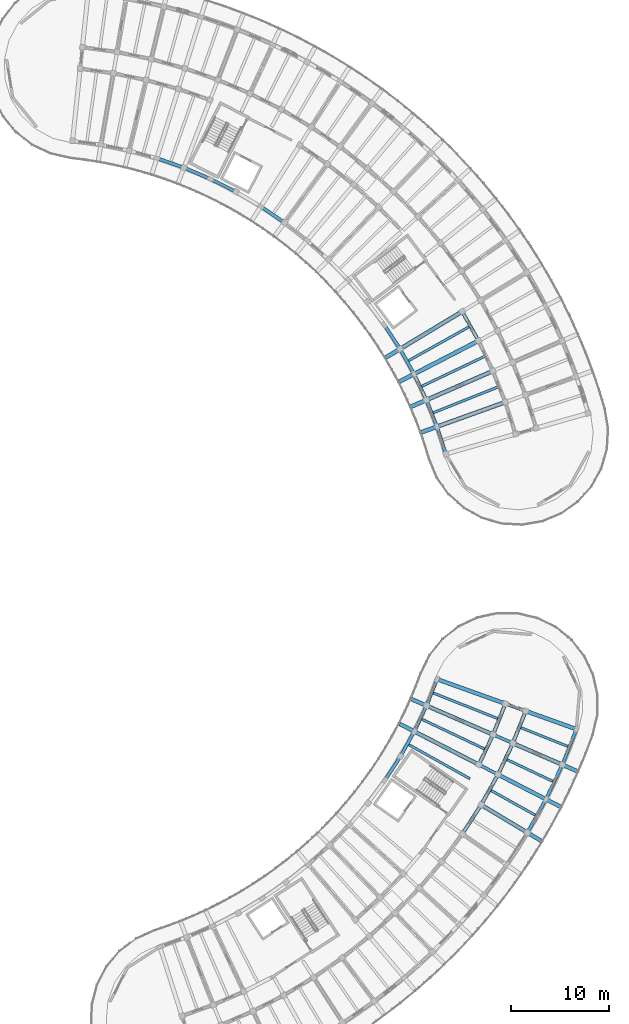
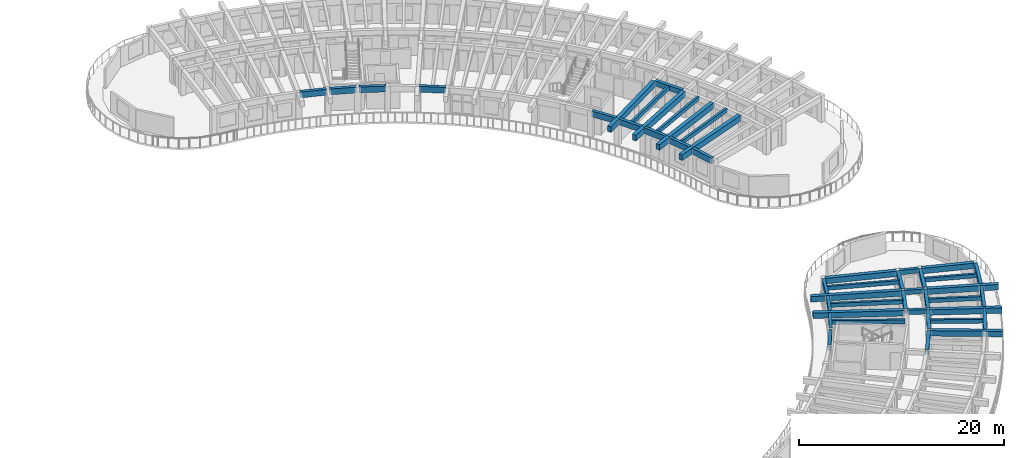
# One storey, part 22 of 78: 46 beams.
"""IFC4 building model written with IfcOpenShell, lengths in metres."""

from ifc_helpers import new_model, si_unit, direction, frame, origin, origin_2d, place, context, subcontext, project, spatial, rectangle, extrude, material, material_profile, profile_set, type_object, element, save


model = new_model("IFC4")

# Units and contexts
model_context = context("Model", 3, precision=1e-05, world=origin(), true_north=direction((0.0, 1.0)))
body_context = subcontext(model_context, "Body", "Model", "MODEL_VIEW")
ifc_project = project(units=[si_unit("LENGTHUNIT", "METRE"), si_unit("AREAUNIT", "SQUARE_METRE"), si_unit("VOLUMEUNIT", "CUBIC_METRE"), si_unit("PLANEANGLEUNIT", "RADIAN"), si_unit("MASSUNIT", "GRAM", prefix="KILO")], contexts=[model_context])

# Site, building, storey
site_placement = place(None, origin())
site = spatial("IfcSite", under=ifc_project, at=site_placement, CompositionType="ELEMENT")
building_placement = place(site_placement, origin())
building = spatial("IfcBuilding", under=site, at=building_placement, Name="Tanwirah Colonnade Gardens", CompositionType="ELEMENT")
storey_placement = place(building_placement, frame((0.0, 0.0, 22.280029296875)))
storey = spatial("IfcBuildingStorey", under=building, at=storey_placement, Name="L06", CompositionType="ELEMENT", Elevation=22.280029296875)

# Beams
ifc_material_1 = material(Name="Precast concrete C40/50", Category="concrete")
ifc_material_profile_1 = material_profile(ifc_material_1, rectangle(XDim=0.360107421875, YDim=0.610107421875, at=origin_2d()), Name="PC-BM 360x610")
ifc_profile_set_1 = profile_set([ifc_material_profile_1], Name="Precast concrete C40/50")
beam_type_1 = type_object("IfcBeamType", Name="BM-PC300", PredefinedType="BEAM", material=ifc_profile_set_1)
for number, where, z_axis, x_axis, name in (
    (1, (165.491455078125, 33.817626953125, 2.804931640625), (0.542825891173, 0.839845254718, 0.0), (-0.839845254718, 0.542825891173, 0.0), "Block D L06 Circumferential Beam 11-R2"),
    (2, (167.40283203125, 36.793212890625, 2.804931640625), (0.486712025227, 0.873562478875, 0.0), (-0.873562478875, 0.486712025227, 0.0), "Block D L06 Circumferential Beam 12-R2"),
):
    element("IfcBeam", number, at=place(storey_placement, frame(where, z_axis=z_axis, x_axis=x_axis)), inside=storey, type_object=beam_type_1, Name=name, PredefinedType="BEAM", context=body_context, shape_type="SweptSolid", body=[
        extrude(rectangle(XDim=0.360107421875, YDim=0.610107421875, at=origin_2d()), origin(), (0.0, 0.0, 1.0), 3.23681640625),
    ])
beam_1_placement = place(storey_placement, frame((167.159912109375, 40.894775390625, 2.804931640625), z_axis=(0.428520598641, 0.903532011907, 0.0), x_axis=(-0.903532011907, 0.428520598641, 0.0)))
element("IfcBeam", 3, at=beam_1_placement, inside=storey, type_object=beam_type_1, Name="Block D L06 Circumferential Beam 13-R1", PredefinedType="BEAM", context=body_context, shape_type="SweptSolid", body=[
    extrude(rectangle(XDim=0.360107421875, YDim=0.610107421875, at=origin_2d()), origin(), (0.0, 0.0, 1.0), 3.093017578125),
])
beam_2_placement = place(storey_placement, frame((169.11572265625, 39.887451171875, 2.804931640625), z_axis=(0.428562893949, 0.903511951183, 0.0), x_axis=(-0.903511951183, 0.428562893949, 0.0)))
element("IfcBeam", 4, at=beam_2_placement, inside=storey, type_object=beam_type_1, Name="Block D L06 Circumferential Beam 13-R2", PredefinedType="BEAM", context=body_context, shape_type="SweptSolid", body=[
    extrude(rectangle(XDim=0.360107421875, YDim=0.610107421875, at=origin_2d()), origin(), (0.0, 0.0, 1.0), 3.23681640625),
])
beam_3_placement = place(storey_placement, frame((168.604736328125, 43.96435546875, 2.804931640625), z_axis=(0.368544574427, 0.929610077753, 0.0), x_axis=(-0.929610077753, 0.368544574427, 0.0)))
element("IfcBeam", 5, at=beam_3_placement, inside=storey, type_object=beam_type_1, Name="Block D L06 Circumferential Beam 14-R1", PredefinedType="BEAM", context=body_context, shape_type="SweptSolid", body=[
    extrude(rectangle(XDim=0.360107421875, YDim=0.610107421875, at=origin_2d()), origin(), (0.0, 0.0, 1.0), 3.093017578125),
])
beam_4_placement = place(storey_placement, frame((170.622314453125, 43.087158203125, 2.804931640625), z_axis=(0.368527954052, 0.929616666741, 0.0), x_axis=(-0.929616666741, 0.368527954052, 0.0)))
element("IfcBeam", 6, at=beam_4_placement, inside=storey, type_object=beam_type_1, Name="Block D L06 Circumferential Beam 14-R2", PredefinedType="BEAM", context=body_context, shape_type="SweptSolid", body=[
    extrude(rectangle(XDim=0.360107421875, YDim=0.610107421875, at=origin_2d()), origin(), (0.0, 0.0, 1.0), 3.23681640625),
])
ifc_material_profile_2 = material_profile(ifc_material_1, rectangle(XDim=0.320068359375, YDim=0.52001953125, at=origin_2d()), Name="PC-BM 320x520")
ifc_profile_set_2 = profile_set([ifc_material_profile_2], Name="Precast concrete C40/50")
beam_type_2 = type_object("IfcBeamType", Name="BM-PC320", PredefinedType="BEAM", material=ifc_profile_set_2)
beam_5_placement = place(storey_placement, frame((167.22900390625, 40.690673828125, 2.849853515625), z_axis=(0.888965044602, -0.457975053334, 0.0), x_axis=(0.457975053334, 0.888965044602, 0.0)))
element("IfcBeam", 7, at=beam_5_placement, inside=storey, type_object=beam_type_2, Name="Block D L06 Corridor Tie Beam 13", PredefinedType="BEAM", context=body_context, shape_type="SweptSolid", body=[
    extrude(rectangle(XDim=0.320068359375, YDim=0.52001953125, at=origin_2d()), origin(), (0.0, 0.0, 1.0), 1.89990234375),
])
beam_6_placement = place(storey_placement, frame((168.68701171875, 43.76513671875, 2.849853515625), z_axis=(0.917025109963, -0.398829471952, 0.0), x_axis=(0.398829471952, 0.917025109963, 0.0)))
element("IfcBeam", 8, at=beam_6_placement, inside=storey, type_object=beam_type_2, Name="Block D L06 Corridor Tie Beam 14", PredefinedType="BEAM", context=body_context, shape_type="SweptSolid", body=[
    extrude(rectangle(XDim=0.320068359375, YDim=0.52001953125, at=origin_2d()), origin(), (0.0, 0.0, 1.0), 1.900146484375),
])
beam_7_placement = place(storey_placement, frame((169.941162109375, 46.92822265625, 2.849853515625), z_axis=(0.941214575511, -0.337809299525, 0.0), x_axis=(0.337809299525, 0.941214575511, 0.0)))
element("IfcBeam", 9, at=beam_7_placement, inside=storey, type_object=beam_type_2, Name="Block D L06 Corridor Tie Beam 15", PredefinedType="BEAM", context=body_context, shape_type="SweptSolid", body=[
    extrude(rectangle(XDim=0.320068359375, YDim=0.52001953125, at=origin_2d()), origin(), (0.0, 0.0, 1.0), 1.89990234375),
])
ifc_material_profile_3 = material_profile(ifc_material_1, rectangle(XDim=0.35009765625, YDim=0.60009765625, at=origin_2d()), Name="PC-BM 350x600")
ifc_profile_set_3 = profile_set([ifc_material_profile_3], Name="Precast concrete C40/50")
beam_type_3 = type_object("IfcBeamType", Name="BM-PC350B", PredefinedType="BEAM", material=ifc_profile_set_3)
beam_8_placement = place(storey_placement, frame((166.98779296875, 84.138671875, 2.81005859375), z_axis=(-0.488200372352, 0.872731571811, 0.0), x_axis=(-0.872731571811, -0.488200372352, 0.0)))
element("IfcBeam", 10, at=beam_8_placement, inside=storey, type_object=beam_type_3, Name="Block B L06 Circumferential Beam 3-R1", PredefinedType="BEAM", context=body_context, shape_type="SweptSolid", body=[
    extrude(rectangle(XDim=0.35009765625, YDim=0.60009765625, at=origin_2d()), origin(), (0.0, 0.0, 1.0), 3.117919921875),
])
ifc_material_2 = material(Name="Precast concrete C45/55", Category="concrete")
ifc_material_profile_4 = material_profile(ifc_material_2, rectangle(XDim=0.39990234375, YDim=0.64990234375, at=origin_2d()), Name="PC-BM 400x650")
ifc_profile_set_4 = profile_set([ifc_material_profile_4], Name="Precast concrete C45/55")
beam_type_4 = type_object("IfcBeamType", Name="BM-PC400", PredefinedType="BEAM", material=ifc_profile_set_4)
beam_9_placement = place(storey_placement, frame((167.45849609375, 36.5849609375, 2.784912109375), z_axis=(0.857159687729, -0.515050744812, 0.0), x_axis=(0.515050744812, 0.857159687729, 0.0)))
element("IfcBeam", 11, at=beam_9_placement, inside=storey, type_object=beam_type_4, Name="Block D L06 Outer Radial Precast Girder 12", PredefinedType="BEAM", context=body_context, shape_type="SweptSolid", body=[
    extrude(rectangle(XDim=0.39990234375, YDim=0.64990234375, at=origin_2d()), origin(), (0.0, 0.0, 1.0), 7.050048828125),
])
beam_10_placement = place(storey_placement, frame((166.962158203125, 40.827880859375, 2.784912109375), z_axis=(-0.889022337846, 0.457863825619, 0.0), x_axis=(-0.457863825619, -0.889022337846, 0.0)))
element("IfcBeam", 12, at=beam_10_placement, inside=storey, type_object=beam_type_4, Name="Block D L06 Inner Radial Precast Girder 13", PredefinedType="BEAM", context=body_context, shape_type="SweptSolid", body=[
    extrude(rectangle(XDim=0.39990234375, YDim=0.64990234375, at=origin_2d()), origin(), (0.0, 0.0, 1.0), 8.949951171875),
])
beam_11_placement = place(storey_placement, frame((169.184814453125, 39.683349609375, 2.784912109375), z_axis=(0.889016420099, -0.457875315774, 0.0), x_axis=(0.457875315774, 0.889016420099, 0.0)))
element("IfcBeam", 13, at=beam_11_placement, inside=storey, type_object=beam_type_4, Name="Block D L06 Outer Radial Precast Girder 13", PredefinedType="BEAM", context=body_context, shape_type="SweptSolid", body=[
    extrude(rectangle(XDim=0.39990234375, YDim=0.64990234375, at=origin_2d()), origin(), (0.0, 0.0, 1.0), 7.050048828125),
])
beam_12_placement = place(storey_placement, frame((168.412109375, 43.884765625, 2.784912109375), z_axis=(-0.917069622575, 0.398727108872, 0.0), x_axis=(-0.398727108872, -0.917069622575, 0.0)))
element("IfcBeam", 14, at=beam_12_placement, inside=storey, type_object=beam_type_4, Name="Block D L06 Inner Radial Precast Girder 14", PredefinedType="BEAM", context=body_context, shape_type="SweptSolid", body=[
    extrude(rectangle(XDim=0.39990234375, YDim=0.64990234375, at=origin_2d()), origin(), (0.0, 0.0, 1.0), 8.949951171875),
])
beam_13_placement = place(storey_placement, frame((170.70458984375, 42.8876953125, 2.784912109375), z_axis=(0.91706895514, -0.398728643965, 0.0), x_axis=(0.398728643965, 0.91706895514, 0.0)))
element("IfcBeam", 15, at=beam_13_placement, inside=storey, type_object=beam_type_4, Name="Block D L06 Outer Radial Precast Girder 14", PredefinedType="BEAM", context=body_context, shape_type="SweptSolid", body=[
    extrude(rectangle(XDim=0.39990234375, YDim=0.64990234375, at=origin_2d()), origin(), (0.0, 0.0, 1.0), 7.050048828125),
])
beam_14_placement = place(storey_placement, frame((169.65869140625, 47.02978515625, 2.784912109375), z_axis=(-0.941174201015, 0.33792177104, 0.0), x_axis=(-0.33792177104, -0.941174201015, 0.0)))
element("IfcBeam", 16, at=beam_14_placement, inside=storey, type_object=beam_type_4, Name="Block D L06 Inner Radial Precast Girder 15", PredefinedType="BEAM", context=body_context, shape_type="SweptSolid", body=[
    extrude(rectangle(XDim=0.39990234375, YDim=0.64990234375, at=origin_2d()), origin(), (0.0, 0.0, 1.0), 7.099853515625),
])
beam_15_placement = place(storey_placement, frame((172.01171875, 46.184814453125, 2.784912109375), z_axis=(0.941179739589, -0.337906344698, 0.0), x_axis=(0.337906344698, 0.941179739589, 0.0)))
element("IfcBeam", 17, at=beam_15_placement, inside=storey, type_object=beam_type_4, Name="Block D L06 Outer Radial Precast Girder 15", PredefinedType="BEAM", context=body_context, shape_type="SweptSolid", body=[
    extrude(rectangle(XDim=0.39990234375, YDim=0.64990234375, at=origin_2d()), origin(), (0.0, 0.0, 1.0), 5.199951171875),
])
ifc_material_profile_5 = material_profile(ifc_material_2, rectangle(XDim=0.419921875, YDim=0.679931640625, at=origin_2d()), Name="PC-BM 420x680")
ifc_profile_set_5 = profile_set([ifc_material_profile_5], Name="Precast concrete C45/55")
beam_type_5 = type_object("IfcBeamType", Name="BM-PC420", PredefinedType="BEAM", material=ifc_profile_set_5)
beam_16_placement = place(storey_placement, frame((169.650390625, 77.69384765625, 2.77001953125), z_axis=(-0.941017049702, -0.338359146723, 0.0), x_axis=(0.338359146723, -0.941017049702, 0.0)))
element("IfcBeam", 18, at=beam_16_placement, inside=storey, type_object=beam_type_5, Name="Block B L06 Inner Radial Precast Girder 1", PredefinedType="BEAM", context=body_context, shape_type="SweptSolid", body=[
    extrude(rectangle(XDim=0.419921875, YDim=0.679931640625, at=origin_2d()), origin(), (0.0, 0.0, 1.0), 8.949951171875),
])
beam_17_placement = place(storey_placement, frame((168.39208984375, 80.861328125, 2.77001953125), z_axis=(-0.916669317869, -0.399646545934, 0.0), x_axis=(0.399646545934, -0.916669317869, 0.0)))
element("IfcBeam", 19, at=beam_17_placement, inside=storey, type_object=beam_type_5, Name="Block B L06 Inner Radial Precast Girder 2", PredefinedType="BEAM", context=body_context, shape_type="SweptSolid", body=[
    extrude(rectangle(XDim=0.419921875, YDim=0.679931640625, at=origin_2d()), origin(), (0.0, 0.0, 1.0), 8.9501953125),
])
beam_18_placement = place(storey_placement, frame((166.927734375, 83.93896484375, 2.77001953125), z_axis=(-0.888345427876, -0.459175784175, 0.0), x_axis=(0.459175784175, -0.888345427876, 0.0)))
element("IfcBeam", 20, at=beam_18_placement, inside=storey, type_object=beam_type_5, Name="Block B L06 Inner Radial Precast Girder 3", PredefinedType="BEAM", context=body_context, shape_type="SweptSolid", body=[
    extrude(rectangle(XDim=0.419921875, YDim=0.679931640625, at=origin_2d()), origin(), (0.0, 0.0, 1.0), 8.949951171875),
])
beam_19_placement = place(storey_placement, frame((165.263916015625, 86.913330078125, 2.77001953125), z_axis=(-0.856168728297, -0.516696340887, 0.0), x_axis=(0.516696340887, -0.856168728297, 0.0)))
element("IfcBeam", 21, at=beam_19_placement, inside=storey, type_object=beam_type_5, Name="Block B L06 Inner Radial Precast Girder 4", PredefinedType="BEAM", context=body_context, shape_type="SweptSolid", body=[
    extrude(rectangle(XDim=0.419921875, YDim=0.679931640625, at=origin_2d()), origin(), (0.0, 0.0, 1.0), 8.9501953125),
])
ifc_material_profile_6 = material_profile(ifc_material_1, rectangle(XDim=0.2548828125, YDim=0.455078125, at=origin_2d()), Name="PC-JST 255x455")
ifc_profile_set_6 = profile_set([ifc_material_profile_6], Name="Precast concrete C40/50")
beam_type_6 = type_object("IfcBeamType", Name="JST-PC240", PredefinedType="JOIST", material=ifc_profile_set_6)
beam_20_placement = place(storey_placement, frame((168.32080078125, 38.134521484375, 2.882568359375), z_axis=(0.87356769437, -0.486702664214, 0.0), x_axis=(0.486702664214, 0.87356769437, 0.0)))
element("IfcBeam", 22, at=beam_20_placement, inside=storey, type_object=beam_type_6, Name="Block D L06 Precast Floor Joist 12", PredefinedType="JOIST", context=body_context, shape_type="SweptSolid", body=[
    extrude(rectangle(XDim=0.2548828125, YDim=0.455078125, at=origin_2d()), origin(), (0.0, 0.0, 1.0), 5.260009765625),
])
beam_21_placement = place(storey_placement, frame((159.9345703125, 42.80712890625, 2.882568359375), z_axis=(0.873559899034, -0.486716655561, 0.0), x_axis=(0.486716655561, 0.873559899034, 0.0)))
element("IfcBeam", 23, at=beam_21_placement, inside=storey, type_object=beam_type_6, Name="Block D L06 Inner Precast Floor Joist 12", PredefinedType="JOIST", context=body_context, shape_type="SweptSolid", body=[
    extrude(rectangle(XDim=0.2548828125, YDim=0.455078125, at=origin_2d()), origin(), (0.0, 0.0, 1.0), 7.159912109375),
])
beam_22_placement = place(storey_placement, frame((169.94384765625, 41.285888671875, 2.882568359375), z_axis=(0.903517509842, -0.428551174785, 0.0), x_axis=(0.428551174785, 0.903517509842, 0.0)))
element("IfcBeam", 24, at=beam_22_placement, inside=storey, type_object=beam_type_6, Name="Block D L06 Precast Floor Joist 13", PredefinedType="JOIST", context=body_context, shape_type="SweptSolid", body=[
    extrude(rectangle(XDim=0.2548828125, YDim=0.455078125, at=origin_2d()), origin(), (0.0, 0.0, 1.0), 5.260009765625),
])
beam_23_placement = place(storey_placement, frame((161.27001953125, 45.39990234375, 2.882568359375), z_axis=(0.903522492189, -0.428540670308, 0.0), x_axis=(0.428540670308, 0.903522492189, 0.0)))
element("IfcBeam", 25, at=beam_23_placement, inside=storey, type_object=beam_type_6, Name="Block D L06 Inner Precast Floor Joist 13", PredefinedType="JOIST", context=body_context, shape_type="SweptSolid", body=[
    extrude(rectangle(XDim=0.2548828125, YDim=0.455078125, at=origin_2d()), origin(), (0.0, 0.0, 1.0), 7.159912109375),
])
beam_24_placement = place(storey_placement, frame((171.357177734375, 44.53662109375, 2.882568359375), z_axis=(0.929618207145, -0.368524068338, 0.0), x_axis=(0.368524068338, 0.929618207145, 0.0)))
element("IfcBeam", 26, at=beam_24_placement, inside=storey, type_object=beam_type_6, Name="Block D L06 Precast Floor Joist 14", PredefinedType="JOIST", context=body_context, shape_type="SweptSolid", body=[
    extrude(rectangle(XDim=0.2548828125, YDim=0.455078125, at=origin_2d()), origin(), (0.0, 0.0, 1.0), 5.260009765625),
])
beam_25_placement = place(storey_placement, frame((162.432861328125, 48.07470703125, 2.882568359375), z_axis=(0.929619798141, -0.368520054956, 0.0), x_axis=(0.368520054956, 0.929619798141, 0.0)))
element("IfcBeam", 27, at=beam_25_placement, inside=storey, type_object=beam_type_6, Name="Block D L06 Inner Precast Floor Joist 14", PredefinedType="JOIST", context=body_context, shape_type="SweptSolid", body=[
    extrude(rectangle(XDim=0.2548828125, YDim=0.455078125, at=origin_2d()), origin(), (0.0, 0.0, 1.0), 7.16015625),
])
ifc_material_profile_7 = material_profile(ifc_material_1, rectangle(XDim=0.260009765625, YDim=0.4599609375, at=origin_2d()), Name="PC-JST 260x460")
ifc_profile_set_7 = profile_set([ifc_material_profile_7], Name="Precast concrete C40/50")
beam_type_7 = type_object("IfcBeamType", Name="JST-PC260", PredefinedType="JOIST", material=ifc_profile_set_7)
for number, where, z_axis, x_axis, name in (
    (28, (162.4208984375, 76.655517578125, 2.8798828125), (0.929348880779, 0.369202732649, 0.0), (-0.369202732649, 0.929348880779, 0.0), "Block B L06 Inner Precast Floor Joist 1"),
    (29, (161.246826171875, 79.348876953125, 2.8798828125), (0.903005429363, 0.429629136048, 0.0), (-0.429629136048, 0.903005429363, 0.0), "Block B L06 Inner Precast Floor Joist 2"),
    (30, (159.897705078125, 81.958984375, 2.8798828125), (0.872726875563, 0.488208767506, 0.0), (-0.488208767506, 0.872726875563, 0.0), "Block B L06 Inner Precast Floor Joist 3"),
):
    element("IfcBeam", number, at=place(storey_placement, frame(where, z_axis=z_axis, x_axis=x_axis)), inside=storey, type_object=beam_type_7, Name=name, PredefinedType="JOIST", context=body_context, shape_type="SweptSolid", body=[
        extrude(rectangle(XDim=0.260009765625, YDim=0.4599609375, at=origin_2d()), origin(), (0.0, 0.0, 1.0), 7.16015625),
    ])
ifc_material_profile_8 = material_profile(ifc_material_1, rectangle(XDim=0.324951171875, YDim=0.68505859375, at=origin_2d()), Name="PC-SP 325x685")
ifc_profile_set_8 = profile_set([ifc_material_profile_8], Name="Precast concrete C40/50")
beam_type_8 = type_object("IfcBeamType", Name="SP-PC260", PredefinedType="SPANDREL", material=ifc_profile_set_8)
beam_26_placement = place(storey_placement, frame((157.603515625, 39.28955078125, 2.767578125), z_axis=(0.542874837406, 0.83981361677, 0.0), x_axis=(-0.83981361677, 0.542874837406, 0.0)))
element("IfcBeam", 31, at=beam_26_placement, inside=storey, type_object=beam_type_8, Name="Block D L06 Circumferential Beam 11-R0", PredefinedType="SPANDREL", context=body_context, shape_type="SweptSolid", body=[
    extrude(rectangle(XDim=0.324951171875, YDim=0.68505859375, at=origin_2d()), origin(), (0.0, 0.0, 1.0), 2.60888671875),
])
beam_27_placement = place(storey_placement, frame((159.174072265625, 41.737548828125, 2.767578125), z_axis=(0.486747049114, 0.873542964129, 0.0), x_axis=(-0.873542964129, 0.486747049114, 0.0)))
element("IfcBeam", 32, at=beam_27_placement, inside=storey, type_object=beam_type_8, Name="Block D L06 Circumferential Beam 12-R0", PredefinedType="SPANDREL", context=body_context, shape_type="SweptSolid", body=[
    extrude(rectangle(XDim=0.324951171875, YDim=0.68505859375, at=origin_2d()), origin(), (0.0, 0.0, 1.0), 2.608642578125),
])
beam_28_placement = place(storey_placement, frame((172.117431640625, 33.96044921875, 2.767578125), z_axis=(0.486679958674, 0.87358034423, 0.0), x_axis=(-0.87358034423, 0.486679958674, 0.0)))
element("IfcBeam", 33, at=beam_28_placement, inside=storey, type_object=beam_type_8, Name="Block D L06 Circumferential Beam 12-R3", PredefinedType="SPANDREL", context=body_context, shape_type="SweptSolid", body=[
    extrude(rectangle(XDim=0.324951171875, YDim=0.68505859375, at=origin_2d()), origin(), (0.0, 0.0, 1.0), 3.5966796875),
])
beam_29_placement = place(storey_placement, frame((160.5810546875, 44.282958984375, 2.767578125), z_axis=(0.428512709915, 0.903535753272, 0.0), x_axis=(-0.903535753272, 0.428512709915, 0.0)))
element("IfcBeam", 34, at=beam_29_placement, inside=storey, type_object=beam_type_8, Name="Block D L06 Circumferential Beam 13-R0", PredefinedType="SPANDREL", context=body_context, shape_type="SweptSolid", body=[
    extrude(rectangle(XDim=0.324951171875, YDim=0.68505859375, at=origin_2d()), origin(), (0.0, 0.0, 1.0), 2.60888671875),
])
beam_30_placement = place(storey_placement, frame((174.00537109375, 37.369140625, 2.767578125), z_axis=(0.428518139447, 0.903533178231, 0.0), x_axis=(-0.903533178231, 0.428518139447, 0.0)))
element("IfcBeam", 35, at=beam_30_placement, inside=storey, type_object=beam_type_8, Name="Block D L06 Circumferential Beam 13-R3", PredefinedType="SPANDREL", context=body_context, shape_type="SweptSolid", body=[
    extrude(rectangle(XDim=0.324951171875, YDim=0.68505859375, at=origin_2d()), origin(), (0.0, 0.0, 1.0), 3.5966796875),
])
beam_31_placement = place(storey_placement, frame((161.818603515625, 46.9150390625, 2.767578125), z_axis=(0.368549031306, 0.929608310808, 0.0), x_axis=(-0.929608310808, 0.368549031306, 0.0)))
element("IfcBeam", 36, at=beam_31_placement, inside=storey, type_object=beam_type_8, Name="Block D L06 Circumferential Beam 14-R0", PredefinedType="SPANDREL", context=body_context, shape_type="SweptSolid", body=[
    extrude(rectangle(XDim=0.324951171875, YDim=0.68505859375, at=origin_2d()), origin(), (0.0, 0.0, 1.0), 2.608642578125),
])
beam_32_placement = place(storey_placement, frame((175.666259765625, 40.89404296875, 2.767578125), z_axis=(0.368521552478, 0.929619204491, 0.0), x_axis=(-0.929619204491, 0.368521552478, 0.0)))
element("IfcBeam", 37, at=beam_32_placement, inside=storey, type_object=beam_type_8, Name="Block D L06 Circumferential Beam 14-R3", PredefinedType="SPANDREL", context=body_context, shape_type="SweptSolid", body=[
    extrude(rectangle(XDim=0.324951171875, YDim=0.68505859375, at=origin_2d()), origin(), (0.0, 0.0, 1.0), 3.5966796875),
])
ifc_material_profile_9 = material_profile(ifc_material_1, rectangle(XDim=0.3349609375, YDim=0.695068359375, at=origin_2d()), Name="PC-SP 335x695")
ifc_profile_set_9 = profile_set([ifc_material_profile_9], Name="Precast concrete C40/50")
beam_type_9 = type_object("IfcBeamType", Name="SP-PC300", PredefinedType="SPANDREL", material=ifc_profile_set_9)
beam_33_placement = place(storey_placement, frame((163.681884765625, 72.5947265625, 2.762451171875), z_axis=(-0.307135661902, 0.951665742363, 0.0), x_axis=(-0.951665742363, -0.307135661902, 0.0)))
element("IfcBeam", 38, at=beam_33_placement, inside=storey, type_object=beam_type_9, Name="Block B L06 Circumferential Beam 0-R0", PredefinedType="SPANDREL", context=body_context, shape_type="SweptSolid", body=[
    extrude(rectangle(XDim=0.3349609375, YDim=0.695068359375, at=origin_2d()), origin(), (0.0, 0.0, 1.0), 2.63037109375),
])
beam_34_placement = place(storey_placement, frame((162.772705078125, 75.380126953125, 2.762451171875), z_axis=(-0.369245181709, 0.929332015904, 0.0), x_axis=(-0.929332015904, -0.369245181709, 0.0)))
element("IfcBeam", 39, at=beam_34_placement, inside=storey, type_object=beam_type_9, Name="Block B L06 Circumferential Beam 1-R0", PredefinedType="SPANDREL", context=body_context, shape_type="SweptSolid", body=[
    extrude(rectangle(XDim=0.3349609375, YDim=0.695068359375, at=origin_2d()), origin(), (0.0, 0.0, 1.0), 2.630126953125),
])
beam_35_placement = place(storey_placement, frame((161.681640625, 78.099365234375, 2.762451171875), z_axis=(-0.42964173036, 0.902999437172, 0.0), x_axis=(-0.902999437172, -0.42964173036, 0.0)))
element("IfcBeam", 40, at=beam_35_placement, inside=storey, type_object=beam_type_9, Name="Block B L06 Circumferential Beam 2-R0", PredefinedType="SPANDREL", context=body_context, shape_type="SweptSolid", body=[
    extrude(rectangle(XDim=0.3349609375, YDim=0.695068359375, at=origin_2d()), origin(), (0.0, 0.0, 1.0), 2.63037109375),
])
beam_36_placement = place(storey_placement, frame((160.413818359375, 80.740966796875, 2.762451171875), z_axis=(-0.488170837957, 0.872748092503, 0.0), x_axis=(-0.872748092503, -0.488170837957, 0.0)))
element("IfcBeam", 41, at=beam_36_placement, inside=storey, type_object=beam_type_9, Name="Block B L06 Circumferential Beam 3-R0", PredefinedType="SPANDREL", context=body_context, shape_type="SweptSolid", body=[
    extrude(rectangle(XDim=0.3349609375, YDim=0.695068359375, at=origin_2d()), origin(), (0.0, 0.0, 1.0), 2.630126953125),
])
for number, where, z_axis, x_axis, name in (
    (42, (158.974853515625, 83.29296875, 2.762451171875), (-0.544570677829, 0.838714955661, 0.0), (-0.838714955661, -0.544570677829, 0.0), "Block B L06 Circumferential Beam 4-R0"),
    (43, (147.142578125, 96.143798828125, 2.762451171875), (-0.825800981874, 0.563961646158, 0.0), (-0.563961646158, -0.825800981874, 0.0), "Block B L06 Circumferential Beam 10-R0"),
    (44, (142.189453125, 99.26904296875, 2.762451171875), (-0.892769015158, 0.450514689632, 0.0), (-0.450514689632, -0.892769015158, 0.0), "Block B L06 Circumferential Beam 12-R0"),
    (45, (139.569091796875, 100.580322265625, 2.762451171875), (-0.920488719784, 0.390769134848, 0.0), (-0.390769134848, -0.920488719784, 0.0), "Block B L06 Circumferential Beam 13-R0"),
    (46, (136.8681640625, 101.716064453125, 2.762451171875), (-0.944249847334, 0.32922974624, 0.0), (-0.32922974624, -0.944249847334, 0.0), "Block B L06 Circumferential Beam 14-R0"),
):
    element("IfcBeam", number, at=place(storey_placement, frame(where, z_axis=z_axis, x_axis=x_axis)), inside=storey, type_object=beam_type_9, Name=name, PredefinedType="SPANDREL", context=body_context, shape_type="SweptSolid", body=[
        extrude(rectangle(XDim=0.3349609375, YDim=0.695068359375, at=origin_2d()), origin(), (0.0, 0.0, 1.0), 2.63037109375),
    ])

save(model, "model.ifc")
